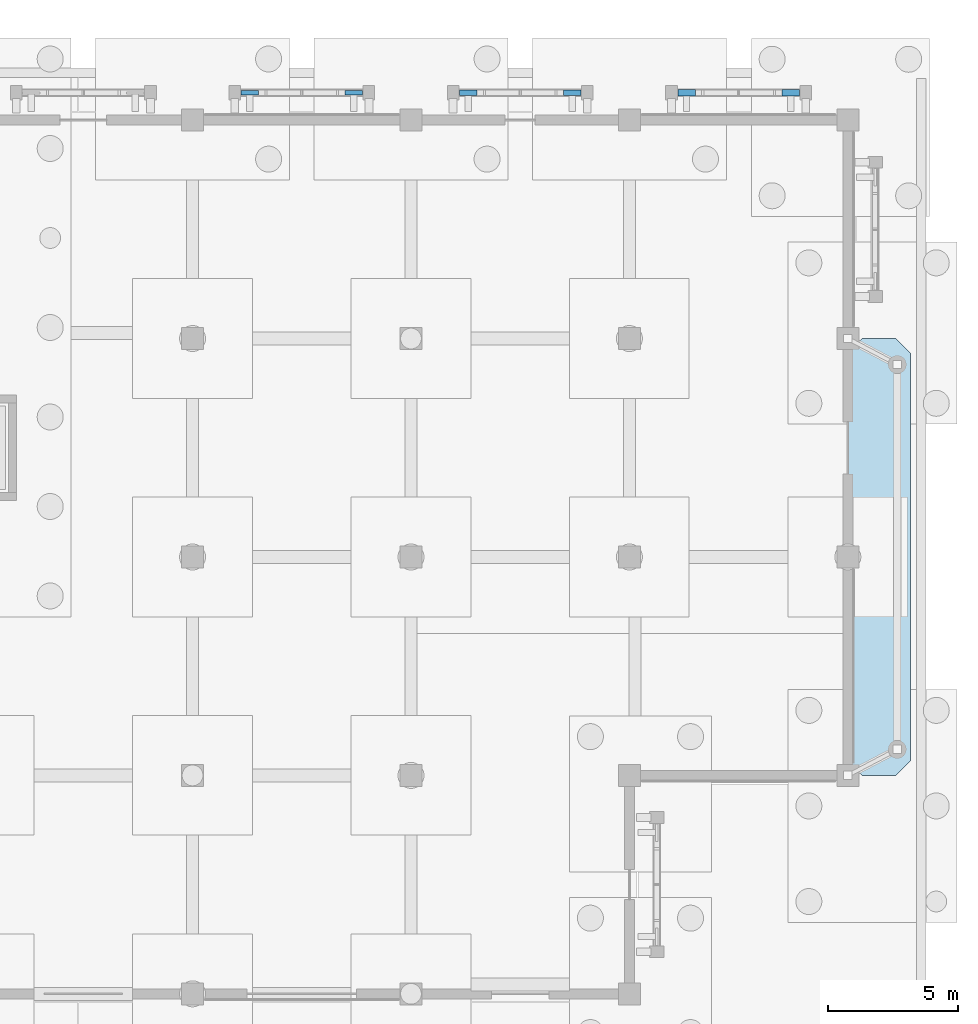
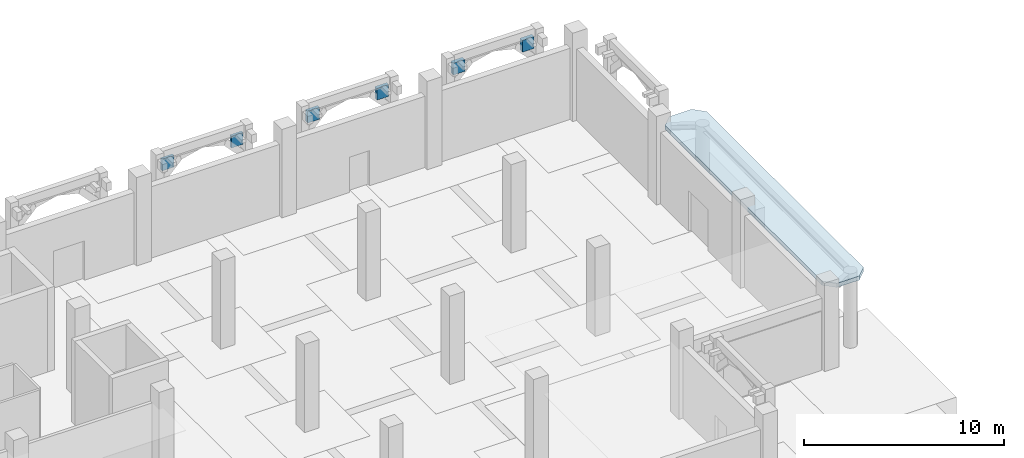
# One storey, part 56 of 98: 6 plates, 1 slab.
"""IFC4 building model written with IfcOpenShell, lengths in metres."""

import ifcopenshell
import ifcopenshell.guid

model = None  # the IFC model being written
_history = None  # IfcOwnerHistory: only IFC2X3 demands one
_inside = {}  # id of a spatial element -> (the spatial element, [elements in it])
_under = {}  # id of a project, library or spatial element -> (it, [spatial elements below it])
_declared = {}  # id of a project -> (the project, [libraries it declares])
_typed = {}  # id of a type object -> (the type object, [elements of that type])
_made_of = {}  # id of a material, layer set ... -> (it, [elements and type objects made of it])


def new_model(schema):
    """Start an empty IFC model of exactly this schema.

    Asked for "IFC4X3", IfcOpenShell would pick the latest addendum, in which some entities
    have other attributes; the version numbers below select the first issue.
    IFC2X3 requires an IfcOwnerHistory on every rooted entity: one is made here for all.
    """
    global model, _history
    if schema == "IFC4X3":
        model = ifcopenshell.file(schema_version=(4, 3, 0, 0))
    else:
        model = ifcopenshell.file(schema=schema)
    _inside.clear()
    _under.clear()
    _declared.clear()
    _typed.clear()
    _made_of.clear()
    _history = None
    if model.schema == "IFC2X3":
        org = make("IfcOrganization", Name="unknown")
        user = make(
            "IfcPersonAndOrganization",
            ThePerson=make("IfcPerson", FamilyName="unknown"),
            TheOrganization=org,
        )
        app = make(
            "IfcApplication",
            ApplicationDeveloper=org,
            Version="unknown",
            ApplicationFullName="unknown",
            ApplicationIdentifier="unknown",
        )
        _history = make(
            "IfcOwnerHistory",
            OwningUser=user,
            OwningApplication=app,
            ChangeAction="ADDED",
            CreationDate=0,
        )
    return model


def make(cls, **values):
    """One entity of the class cls with the attributes given. An attribute that is None is left unset."""
    return model.create_entity(
        cls, **{name: value for name, value in values.items() if value is not None}
    )


def rooted(cls, **values):
    """An entity with a GlobalId (a new one), such as an element, a storey or a relation."""
    return make(cls, GlobalId=ifcopenshell.guid.new(), OwnerHistory=_history, **values)


def si_unit(unit_type, name, prefix=None):
    """IfcSIUnit, for example si_unit("LENGTHUNIT", "METRE", prefix="MILLI")."""
    return make("IfcSIUnit", UnitType=unit_type, Prefix=prefix, Name=name)


def assignment(units):
    """IfcUnitAssignment: the units of a project."""
    return None if units is None else make("IfcUnitAssignment", Units=units)


def point(xyz):
    """IfcCartesianPoint."""
    return None if xyz is None else make("IfcCartesianPoint", Coordinates=xyz)


def direction(xyz):
    """IfcDirection."""
    return None if xyz is None else make("IfcDirection", DirectionRatios=xyz)


def frame(location, z_axis=None, x_axis=None):
    """IfcAxis2Placement3D, a coordinate frame: its origin and axes. An axis left out is left unset."""
    return make(
        "IfcAxis2Placement3D",
        Location=point(location),
        Axis=direction(z_axis),
        RefDirection=direction(x_axis),
    )


def frame_2d(location, x_axis=None):
    """IfcAxis2Placement2D, a coordinate frame in the plane: its origin and x axis."""
    return make(
        "IfcAxis2Placement2D", Location=point(location), RefDirection=direction(x_axis)
    )


def origin():
    """The frame at (0, 0, 0) with its axes left unset."""
    return frame((0.0, 0.0, 0.0))


def origin_2d():
    """The frame at (0, 0) in the plane with its x axis left unset."""
    return frame_2d((0.0, 0.0))


def place(relative_to, where):
    """IfcLocalPlacement: puts the frame where relative to a parent placement (None: the world)."""
    return make(
        "IfcLocalPlacement", PlacementRelTo=relative_to, RelativePlacement=where
    )


def context(
    kind, dimensions, precision=None, world=None, true_north=None, identifier=None
):
    """IfcGeometricRepresentationContext, for example the 3D "Model" context."""
    return make(
        "IfcGeometricRepresentationContext",
        ContextIdentifier=identifier,
        ContextType=kind,
        CoordinateSpaceDimension=dimensions,
        Precision=precision,
        WorldCoordinateSystem=world,
        TrueNorth=true_north,
    )


def subcontext(parent, identifier, kind, view, scale=None):
    """IfcGeometricRepresentationSubContext, for example "Body" below "Model"."""
    return make(
        "IfcGeometricRepresentationSubContext",
        ContextIdentifier=identifier,
        ContextType=kind,
        ParentContext=parent,
        TargetScale=scale,
        TargetView=view,
    )


def project(units=None, contexts=None):
    """IfcProject with its units and contexts."""
    return rooted(
        "IfcProject",
        Name="project",
        RepresentationContexts=contexts,
        UnitsInContext=assignment(units),
    )


def spatial(cls, under=None, at=None, **own):
    """A site, building, storey or space (cls), placed at a placement, below another one or the project."""
    s = rooted(cls, ObjectPlacement=at, **own)
    if under is not None:
        _under.setdefault(under.id(), (under, []))[1].append(s)
    return s


def polyline(points):
    """IfcPolyline through the points."""
    return make("IfcPolyline", Points=[point(p) for p in points])


def profile(cls, at=None, kind="AREA", **sizes):
    """A parametric profile (cls). Its sizes go by their IFC names, for example OverallWidth=200.0."""
    return make(cls, ProfileType=kind, Position=at, **sizes)


def rectangle(**sizes):
    """IfcRectangleProfileDef."""
    return profile("IfcRectangleProfileDef", **sizes)


def outline(outer, holes=None, kind="AREA"):
    """IfcArbitraryClosedProfileDef: a profile drawn as a closed curve; with holes, ...WithVoids."""
    if holes is None:
        return make("IfcArbitraryClosedProfileDef", ProfileType=kind, OuterCurve=outer)
    return make(
        "IfcArbitraryProfileDefWithVoids",
        ProfileType=kind,
        OuterCurve=outer,
        InnerCurves=holes,
    )


def extrude(swept, where, along, depth):
    """IfcExtrudedAreaSolid: the profile swept, set in the frame where, extruded along a direction by depth."""
    return make(
        "IfcExtrudedAreaSolid",
        SweptArea=swept,
        Position=where,
        ExtrudedDirection=direction(along),
        Depth=depth,
    )


def shape(context_of_items, identifier, shape_type, items):
    """IfcShapeRepresentation: the items that make up one representation, for example the "Body"."""
    return make(
        "IfcShapeRepresentation",
        ContextOfItems=context_of_items,
        RepresentationIdentifier=identifier,
        RepresentationType=shape_type,
        Items=items,
    )


def material(Name=None, Category=None):
    """IfcMaterial."""
    return make("IfcMaterial", Name=Name, Category=Category)


def layer(
    of_material, thickness, ventilated=None, Name=None, Category=None, Priority=None
):
    """IfcMaterialLayer: one layer of a wall or slab, of a material (None: an air gap)."""
    return make(
        "IfcMaterialLayer",
        Material=of_material,
        LayerThickness=thickness,
        IsVentilated=ventilated,
        Name=Name,
        Category=Category,
        Priority=Priority,
    )


def layer_set(layers, Name=None):
    """IfcMaterialLayerSet."""
    return make("IfcMaterialLayerSet", MaterialLayers=layers, LayerSetName=Name)


def made_of(thing, what):
    """Note that an element or type object is made of a material, layer set ...; save() writes the relation."""
    if what is not None:
        _made_of.setdefault(what.id(), (what, []))[1].append(thing)
    return thing


def type_object(cls, material=None, **own):
    """A type object (cls), such as IfcWallType, which elements share."""
    return made_of(rooted(cls, **own), material)


def element(
    cls,
    number,
    at=None,
    inside=None,
    cuts=None,
    type_object=None,
    material=None,
    context=None,
    identifier="Body",
    shape_type=None,
    held_by="IfcProductDefinitionShape",
    body=None,
    shapes=None,
    **own,
):
    """One element of the class cls, such as IfcWall. Its Tag is "e" and its number.

    at: its placement. inside: the storey or other place that contains it. cuts: it is an
    opening in that element (IfcRelVoidsElement). A single representation is given by context,
    identifier, shape_type and body (its items); several are given by shapes. held_by: the class
    of the entity that holds the representations. save() writes the other relations.
    """
    e = rooted(cls, Tag="e%d" % number, ObjectPlacement=at, **own)
    if body is not None:
        shapes = [shape(context, identifier, shape_type, body)]
    if shapes is not None:
        e.Representation = make(held_by, Representations=shapes)
    if inside is not None:
        _inside.setdefault(inside.id(), (inside, []))[1].append(e)
    if cuts is not None:
        rooted(
            "IfcRelVoidsElement", RelatingBuildingElement=cuts, RelatedOpeningElement=e
        )
    if type_object is not None:
        _typed.setdefault(type_object.id(), (type_object, []))[1].append(e)
    return made_of(e, material)


def aggregate(whole, parts):
    """IfcRelAggregates: a whole, such as a stair, and the parts it consists of."""
    return rooted("IfcRelAggregates", RelatingObject=whole, RelatedObjects=parts)


def save(model, path):
    """Write the relations noted so far, then the file.

    IfcRelAggregates (storeys below a building ...), IfcRelContainedInSpatialStructure (elements
    in a storey), IfcRelDefinesByType, IfcRelAssociatesMaterial and IfcRelDeclares: one each for
    every whole, place, type object, material and project.
    """
    for whole, parts in _under.values():
        aggregate(whole, parts)
    for where, things in _inside.values():
        rooted(
            "IfcRelContainedInSpatialStructure",
            RelatedElements=things,
            RelatingStructure=where,
        )
    for kind, things in _typed.values():
        rooted("IfcRelDefinesByType", RelatedObjects=things, RelatingType=kind)
    for what, things in _made_of.values():
        rooted("IfcRelAssociatesMaterial", RelatedObjects=things, RelatingMaterial=what)
    for by, libraries in _declared.values():
        rooted("IfcRelDeclares", RelatingContext=by, RelatedDefinitions=libraries)
    model.write(path)


model = new_model("IFC4")

# Units and contexts
model_context = context("Model", 3, precision=1e-05, world=origin(), true_north=direction((0.0, 1.0)))
body_context = subcontext(model_context, "Body", "Model", "MODEL_VIEW")
ifc_project = project(units=[si_unit("LENGTHUNIT", "METRE"), si_unit("AREAUNIT", "SQUARE_METRE"), si_unit("VOLUMEUNIT", "CUBIC_METRE"), si_unit("PLANEANGLEUNIT", "RADIAN"), si_unit("MASSUNIT", "GRAM", prefix="KILO")], contexts=[model_context])

# Site, building, storey
site_placement = place(None, origin())
site = spatial("IfcSite", under=ifc_project, at=site_placement, CompositionType="ELEMENT")
building_placement = place(site_placement, origin())
building = spatial("IfcBuilding", under=site, at=building_placement, Name="Xazarin Passage Department Store", CompositionType="ELEMENT")
storey_placement = place(building_placement, origin())
storey = spatial("IfcBuildingStorey", under=building, at=storey_placement, Name="L00", CompositionType="ELEMENT", Elevation=0.0)

# Plates
ifc_material_1 = material(Name="Precast concrete C40/50", Category="concrete")
ifc_layer_1 = layer(ifc_material_1, 0.159912109375)
ifc_layer_set_1 = layer_set([ifc_layer_1], Name="Precast concrete C40/50")
plate_type_1 = type_object("IfcPlateType", Name="ARC-PLT-SCR-09", PredefinedType="USERDEFINED", material=ifc_layer_set_1)
for number, where, z_axis, x_axis, name in (
    (1, (146.60009765625, 111.050048828125, 4.16015625), (0.0, 0.0, 1.0), (1.0, 0.0, 0.0), "L00 V4 Arch Spandrel Tympanum 0329"),
    (2, (150.60009765625, 111.050048828125, 4.16015625), (0.0, 0.0, 1.0), (1.0, 0.0, 0.0), "L00 V4 Arch Spandrel Tympanum 0330"),
):
    element("IfcPlate", number, at=place(storey_placement, frame(where, z_axis=z_axis, x_axis=x_axis)), inside=storey, type_object=plate_type_1, Name=name, ObjectType="SCREEN PANEL", PredefinedType="USERDEFINED", context=body_context, shape_type="SweptSolid", body=[
        extrude(rectangle(XDim=0.679931640625, YDim=0.159912109375, at=origin_2d()), origin(), (0.0, 0.0, 1.0), 0.719970703125),
    ])
ifc_layer_2 = layer(ifc_material_1, 0.199951171875)
ifc_layer_set_2 = layer_set([ifc_layer_2], Name="Precast concrete C40/50")
plate_type_2 = type_object("IfcPlateType", Name="ARC-PLT-SCR-13", PredefinedType="USERDEFINED", material=ifc_layer_set_2)
for number, where, z_axis, x_axis, name in (
    (3, (155.0, 111.050048828125, 4.16015625), (0.0, 0.0, 1.0), (1.0, 0.0, 0.0), "L00 V4 Arch Spandrel Tympanum 0333"),
    (4, (159.0, 111.050048828125, 4.16015625), (0.0, 0.0, 1.0), (1.0, 0.0, 0.0), "L00 V4 Arch Spandrel Tympanum 0334"),
):
    element("IfcPlate", number, at=place(storey_placement, frame(where, z_axis=z_axis, x_axis=x_axis)), inside=storey, type_object=plate_type_2, Name=name, ObjectType="SCREEN PANEL", PredefinedType="USERDEFINED", context=body_context, shape_type="SweptSolid", body=[
        extrude(rectangle(XDim=0.679931640625, YDim=0.199951171875, at=origin_2d()), origin(), (0.0, 0.0, 1.0), 0.719970703125),
    ])
ifc_layer_3 = layer(ifc_material_1, 0.239990234375)
ifc_layer_set_3 = layer_set([ifc_layer_3], Name="Precast concrete C40/50")
plate_type_3 = type_object("IfcPlateType", Name="ARC-PLT-SCR-17", PredefinedType="USERDEFINED", material=ifc_layer_set_3)
for number, where, z_axis, x_axis, name in (
    (5, (163.39990234375, 111.050048828125, 4.16015625), (0.0, 0.0, 1.0), (1.0, 0.0, 0.0), "L00 V4 Arch Spandrel Tympanum 0337"),
    (6, (167.39990234375, 111.050048828125, 4.16015625), (0.0, 0.0, 1.0), (1.0, 0.0, 0.0), "L00 V4 Arch Spandrel Tympanum 0338"),
):
    element("IfcPlate", number, at=place(storey_placement, frame(where, z_axis=z_axis, x_axis=x_axis)), inside=storey, type_object=plate_type_3, Name=name, ObjectType="SCREEN PANEL", PredefinedType="USERDEFINED", context=body_context, shape_type="SweptSolid", body=[
        extrude(rectangle(XDim=0.679931640625, YDim=0.239990234375, at=origin_2d()), origin(), (0.0, 0.0, 1.0), 0.719970703125),
    ])

# Slab
ifc_material_2 = material(Name="Concrete C40/50", Category="concrete")
ifc_layer_4 = layer(ifc_material_2, 0.25)
ifc_layer_set_4 = layer_set([ifc_layer_4], Name="Concrete C40/50")
slab_type = type_object("IfcSlabType", Name="STR-SLB-CAN250", PredefinedType="ROOF", material=ifc_layer_set_4)
slab_placement = place(storey_placement, frame((0.0, 0.0, 4.550048828125)))
element("IfcSlab", 7, at=slab_placement, inside=storey, type_object=slab_type, Name="Entrance Canopy Slab CN3", PredefinedType="ROOF", context=body_context, shape_type="SweptSolid", body=[
    extrude(outline(polyline([(170.14990234375, 84.800048828125), (171.449951171875, 84.800048828125), (172.0, 85.35009765625), (172.0, 101.050048828125), (171.449951171875, 101.60009765625), (170.14990234375, 101.60009765625), (169.60009765625, 101.050048828125), (169.60009765625, 85.35009765625), (170.14990234375, 84.800048828125)])), origin(), (0.0, 0.0, 1.0), 0.25),
])

save(model, "model.ifc")
